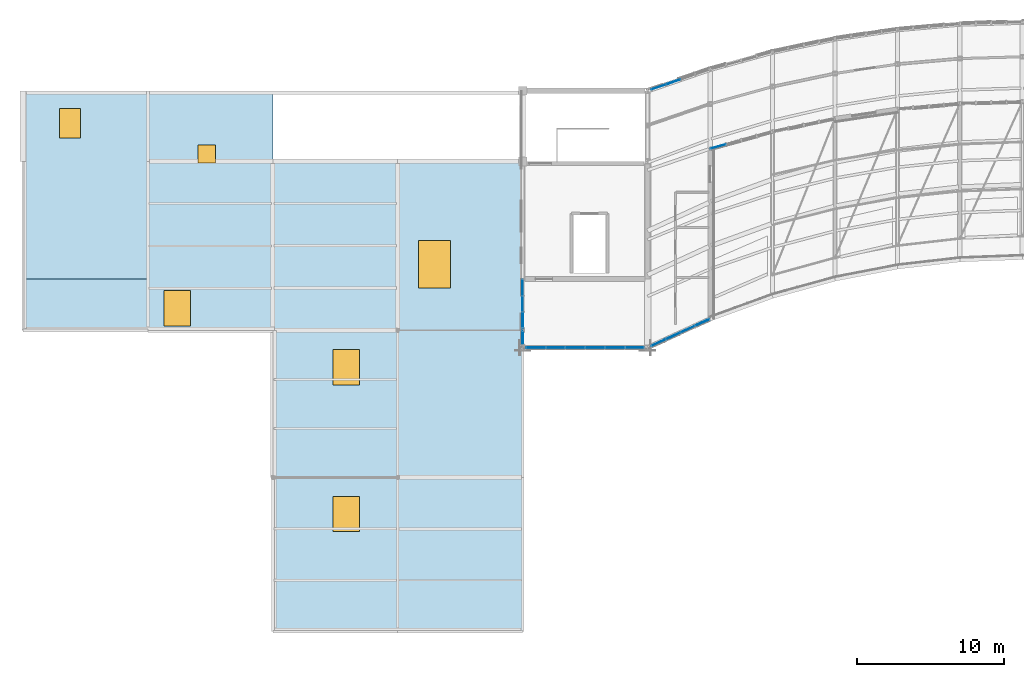
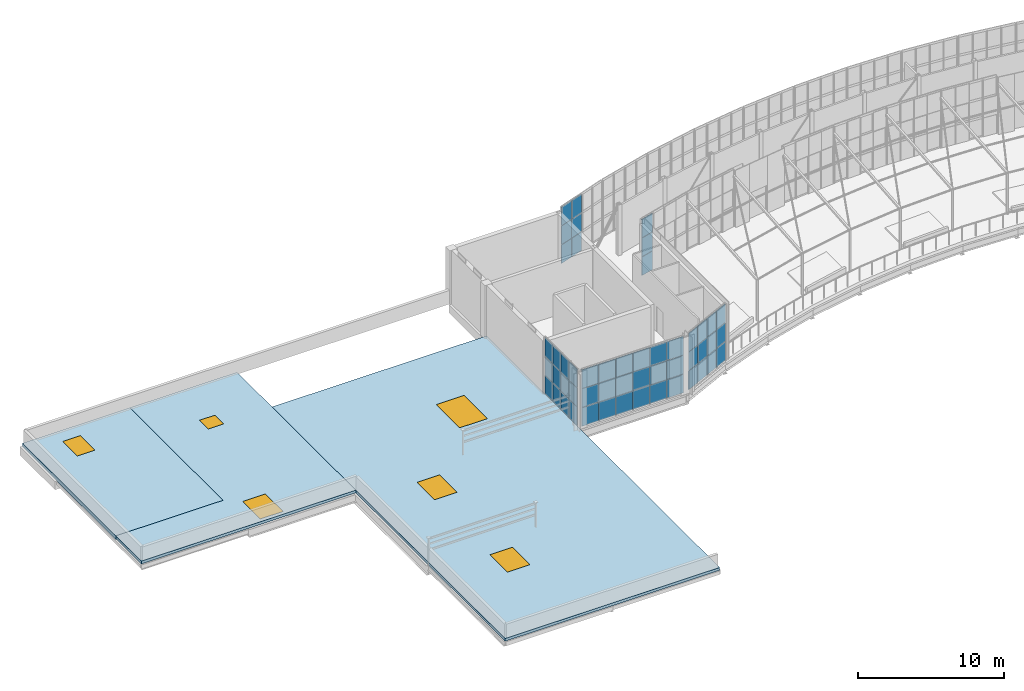
# One storey, part 25 of 35: 51 plates, 6 windows, 3 slabs, 6 openings, 5 elements without a shape of their own.
"""IFC4 building model written with IfcOpenShell, lengths in metres."""

from ifc_helpers import new_model, si_unit, direction, frame, origin, origin_2d, place, context, subcontext, project, spatial, polyline, rectangle, outline, extrude, material, layer, layer_set, type_object, element, fill, aggregate, save


model = new_model("IFC4")

# Units and contexts
model_context = context("Model", 3, precision=1e-05, world=origin(), true_north=direction((0.0, 1.0)))
body_context = subcontext(model_context, "Body", "Model", "MODEL_VIEW")
ifc_project = project(units=[si_unit("LENGTHUNIT", "METRE"), si_unit("AREAUNIT", "SQUARE_METRE"), si_unit("VOLUMEUNIT", "CUBIC_METRE"), si_unit("PLANEANGLEUNIT", "RADIAN"), si_unit("MASSUNIT", "GRAM", prefix="KILO")], contexts=[model_context])

# Site, building, storey
site_placement = place(None, origin())
site = spatial("IfcSite", under=ifc_project, at=site_placement, CompositionType="ELEMENT")
building_placement = place(site_placement, origin())
building = spatial("IfcBuilding", under=site, at=building_placement, Name="Solvikara Media Centre", CompositionType="ELEMENT")
storey_placement = place(building_placement, frame((0.0, 0.0, 29.39990234375)))
storey = spatial("IfcBuildingStorey", under=building, at=storey_placement, Name="L06", CompositionType="ELEMENT", Elevation=29.39990234375)

# Curtain wall, plates
ifc_material_1 = material(Name="Anodised aluminium EN AW-6063", Category="aluminium")
curtain_wall_type = type_object("IfcCurtainWallType", Name="CW-13", PredefinedType="NOTDEFINED", material=ifc_material_1)
curtain_wall_1_placement = place(storey_placement, origin())
curtain_wall_1 = element("IfcCurtainWall", 1, at=curtain_wall_1_placement, inside=storey, type_object=curtain_wall_type, Name="CW-L06-NARC-00", PredefinedType="NOTDEFINED")
ifc_material_2 = material(Name="Laminated solar-control cyan vision glass", Category="glass")
ifc_layer_1 = layer(ifc_material_2, 0.035888671875)
ifc_layer_set_1 = layer_set([ifc_layer_1], Name="Laminated solar-control cyan vision glass")
plate_type_1 = type_object("IfcPlateType", Name="PN-04", PredefinedType="CURTAIN_PANEL", material=ifc_layer_set_1)
plate_1_placement = place(storey_placement, frame((77.243896484375, 37.055908203125, 0.03466796875), z_axis=(0.0, 0.0, 1.0), x_axis=(0.945711605144, 0.32500701515, 0.0)))
plate_1 = element("IfcPlate", 2, at=plate_1_placement, type_object=plate_type_1, Name="CW-L06-NARC-00-P0000", PredefinedType="CURTAIN_PANEL", context=body_context, shape_type="SweptSolid", body=[
    extrude(rectangle(XDim=1.01904296875, YDim=0.035888671875, at=origin_2d()), origin(), (0.0, 0.0, 1.0), 1.556884765625),
])
plate_2_placement = place(storey_placement, frame((77.243896484375, 37.055908203125, 1.62158203125), z_axis=(0.0, 0.0, 1.0), x_axis=(0.945711605144, 0.32500701515, 0.0)))
plate_2 = element("IfcPlate", 3, at=plate_2_placement, type_object=plate_type_1, Name="CW-L06-NARC-00-P0001", PredefinedType="CURTAIN_PANEL", context=body_context, shape_type="SweptSolid", body=[
    extrude(rectangle(XDim=1.01904296875, YDim=0.035888671875, at=origin_2d()), origin(), (0.0, 0.0, 1.0), 1.556884765625),
])
plate_3_placement = place(storey_placement, frame((77.243896484375, 37.055908203125, 3.20849609375), z_axis=(0.0, 0.0, 1.0), x_axis=(0.945711605144, 0.32500701515, 0.0)))
plate_3 = element("IfcPlate", 4, at=plate_3_placement, type_object=plate_type_1, Name="CW-L06-NARC-00-P0002", PredefinedType="CURTAIN_PANEL", context=body_context, shape_type="SweptSolid", body=[
    extrude(rectangle(XDim=1.01904296875, YDim=0.035888671875, at=origin_2d()), origin(), (0.0, 0.0, 1.0), 1.556884765625),
])
plate_4_placement = place(storey_placement, frame((78.237060546875, 37.39697265625, 1.62158203125), z_axis=(0.0, 0.0, 1.0), x_axis=(0.945711605144, 0.32500701515, 0.0)))
plate_4 = element("IfcPlate", 5, at=plate_4_placement, type_object=plate_type_1, Name="CW-L06-NARC-00-P0101", PredefinedType="CURTAIN_PANEL", context=body_context, shape_type="SweptSolid", body=[
    extrude(rectangle(XDim=1.01904296875, YDim=0.035888671875, at=origin_2d()), origin(), (0.0, 0.0, 1.0), 1.556884765625),
])

curtain_wall_2_placement = place(storey_placement, origin())
curtain_wall_2 = element("IfcCurtainWall", 6, at=curtain_wall_2_placement, inside=storey, type_object=curtain_wall_type, Name="CW-L06-GALS-01", PredefinedType="NOTDEFINED")
plate_5_placement = place(storey_placement, frame((81.306884765625, 33.012939453125, 0.03466796875), z_axis=(0.0, 0.0, 1.0), x_axis=(0.964030487854, 0.265791682504, 0.0)))
plate_5 = element("IfcPlate", 7, at=plate_5_placement, type_object=plate_type_1, Name="CW-L06-GALS-01-P0000", PredefinedType="CURTAIN_PANEL", context=body_context, shape_type="SweptSolid", body=[
    extrude(rectangle(XDim=1.054931640625, YDim=0.035888671875, at=origin_2d()), origin(), (0.0, 0.0, 1.0), 1.556884765625),
])
plate_6_placement = place(storey_placement, frame((81.306884765625, 33.012939453125, 1.62158203125), z_axis=(0.0, 0.0, 1.0), x_axis=(0.964030487854, 0.265791682504, 0.0)))
plate_6 = element("IfcPlate", 8, at=plate_6_placement, type_object=plate_type_1, Name="CW-L06-GALS-01-P0001", PredefinedType="CURTAIN_PANEL", context=body_context, shape_type="SweptSolid", body=[
    extrude(rectangle(XDim=1.054931640625, YDim=0.035888671875, at=origin_2d()), origin(), (0.0, 0.0, 1.0), 1.556884765625),
])
plate_7_placement = place(storey_placement, frame((81.306884765625, 33.012939453125, 3.20849609375), z_axis=(0.0, 0.0, 1.0), x_axis=(0.964030487854, 0.265791682504, 0.0)))
plate_7 = element("IfcPlate", 9, at=plate_7_placement, type_object=plate_type_1, Name="CW-L06-GALS-01-P0002", PredefinedType="CURTAIN_PANEL", context=body_context, shape_type="SweptSolid", body=[
    extrude(rectangle(XDim=1.054931640625, YDim=0.035888671875, at=origin_2d()), origin(), (0.0, 0.0, 1.0), 1.556884765625),
])
aggregate(curtain_wall_2, [plate_5, plate_6, plate_7])

curtain_wall_3_placement = place(storey_placement, origin())
curtain_wall_3 = element("IfcCurtainWall", 10, at=curtain_wall_3_placement, inside=storey, type_object=curtain_wall_type, Name="CW-L06-BHWS", PredefinedType="NOTDEFINED")
plate_8_placement = place(storey_placement, frame((68.886962890625, 19.323974609375, 1.62158203125), z_axis=(0.0, 0.0, 1.0), x_axis=(1.0, 0.0, 0.0)))
plate_8 = element("IfcPlate", 11, at=plate_8_placement, type_object=plate_type_1, Name="CW-L06-BHWS-P0001", PredefinedType="CURTAIN_PANEL", context=body_context, shape_type="SweptSolid", body=[
    extrude(rectangle(XDim=1.31494140625, YDim=0.035888671875, at=origin_2d()), origin(), (0.0, 0.0, 1.0), 1.556884765625),
])
plate_9_placement = place(storey_placement, frame((70.23193359375, 19.323974609375, 0.03466796875), z_axis=(0.0, 0.0, 1.0), x_axis=(1.0, 0.0, 0.0)))
plate_9 = element("IfcPlate", 12, at=plate_9_placement, type_object=plate_type_1, Name="CW-L06-BHWS-P0100", PredefinedType="CURTAIN_PANEL", context=body_context, shape_type="SweptSolid", body=[
    extrude(rectangle(XDim=1.31494140625, YDim=0.035888671875, at=origin_2d()), origin(), (0.0, 0.0, 1.0), 1.556884765625),
])
plate_10_placement = place(storey_placement, frame((71.576904296875, 19.323974609375, 3.20849609375), z_axis=(0.0, 0.0, 1.0), x_axis=(1.0, 0.0, 0.0)))
plate_10 = element("IfcPlate", 13, at=plate_10_placement, type_object=plate_type_1, Name="CW-L06-BHWS-P0202", PredefinedType="CURTAIN_PANEL", context=body_context, shape_type="SweptSolid", body=[
    extrude(rectangle(XDim=1.31494140625, YDim=0.035888671875, at=origin_2d()), origin(), (0.0, 0.0, 1.0), 1.556884765625),
])
plate_11_placement = place(storey_placement, frame((72.922119140625, 19.323974609375, 1.62158203125), z_axis=(0.0, 0.0, 1.0), x_axis=(1.0, 0.0, 0.0)))
plate_11 = element("IfcPlate", 14, at=plate_11_placement, type_object=plate_type_1, Name="CW-L06-BHWS-P0301", PredefinedType="CURTAIN_PANEL", context=body_context, shape_type="SweptSolid", body=[
    extrude(rectangle(XDim=1.31494140625, YDim=0.035888671875, at=origin_2d()), origin(), (0.0, 0.0, 1.0), 1.556884765625),
])
plate_12_placement = place(storey_placement, frame((74.26708984375, 19.323974609375, 0.03466796875), z_axis=(0.0, 0.0, 1.0), x_axis=(1.0, 0.0, 0.0)))
plate_12 = element("IfcPlate", 15, at=plate_12_placement, type_object=plate_type_1, Name="CW-L06-BHWS-P0400", PredefinedType="CURTAIN_PANEL", context=body_context, shape_type="SweptSolid", body=[
    extrude(rectangle(XDim=1.31494140625, YDim=0.035888671875, at=origin_2d()), origin(), (0.0, 0.0, 1.0), 1.556884765625),
])
plate_13_placement = place(storey_placement, frame((75.612060546875, 19.323974609375, 1.62158203125), z_axis=(0.0, 0.0, 1.0), x_axis=(1.0, 0.0, 0.0)))
plate_13 = element("IfcPlate", 16, at=plate_13_placement, type_object=plate_type_1, Name="CW-L06-BHWS-P0501", PredefinedType="CURTAIN_PANEL", context=body_context, shape_type="SweptSolid", body=[
    extrude(rectangle(XDim=1.31494140625, YDim=0.035888671875, at=origin_2d()), origin(), (0.0, 0.0, 1.0), 1.556884765625),
])
plate_14_placement = place(storey_placement, frame((75.612060546875, 19.323974609375, 3.20849609375), z_axis=(0.0, 0.0, 1.0), x_axis=(1.0, 0.0, 0.0)))
plate_14 = element("IfcPlate", 17, at=plate_14_placement, type_object=plate_type_1, Name="CW-L06-BHWS-P0502", PredefinedType="CURTAIN_PANEL", context=body_context, shape_type="SweptSolid", body=[
    extrude(rectangle(XDim=1.31494140625, YDim=0.035888671875, at=origin_2d()), origin(), (0.0, 0.0, 1.0), 1.556884765625),
])

curtain_wall_4_placement = place(storey_placement, origin())
curtain_wall_4 = element("IfcCurtainWall", 18, at=curtain_wall_4_placement, inside=storey, type_object=curtain_wall_type, Name="CW-L06-SARC-00", PredefinedType="NOTDEFINED")
plate_15_placement = place(storey_placement, frame((77.242919921875, 19.666015625, 1.62158203125), z_axis=(0.0, 0.0, 1.0), x_axis=(0.908544639849, 0.417787789915, 0.0)))
plate_15 = element("IfcPlate", 19, at=plate_15_placement, type_object=plate_type_1, Name="CW-L06-SARC-00-P0001", PredefinedType="CURTAIN_PANEL", context=body_context, shape_type="SweptSolid", body=[
    extrude(rectangle(XDim=1.06298828125, YDim=0.035888671875, at=origin_2d()), origin(), (0.0, 0.0, 1.0), 1.556884765625),
])
plate_16_placement = place(storey_placement, frame((77.242919921875, 19.666015625, 3.20849609375), z_axis=(0.0, 0.0, 1.0), x_axis=(0.908544639849, 0.417787789915, 0.0)))
plate_16 = element("IfcPlate", 20, at=plate_16_placement, type_object=plate_type_1, Name="CW-L06-SARC-00-P0002", PredefinedType="CURTAIN_PANEL", context=body_context, shape_type="SweptSolid", body=[
    extrude(rectangle(XDim=1.06298828125, YDim=0.035888671875, at=origin_2d()), origin(), (0.0, 0.0, 1.0), 1.556884765625),
])
plate_17_placement = place(storey_placement, frame((78.236083984375, 20.123046875, 0.03466796875), z_axis=(0.0, 0.0, 1.0), x_axis=(0.908544639849, 0.417787789915, 0.0)))
plate_17 = element("IfcPlate", 21, at=plate_17_placement, type_object=plate_type_1, Name="CW-L06-SARC-00-P0100", PredefinedType="CURTAIN_PANEL", context=body_context, shape_type="SweptSolid", body=[
    extrude(rectangle(XDim=1.06298828125, YDim=0.035888671875, at=origin_2d()), origin(), (0.0, 0.0, 1.0), 1.556884765625),
])
plate_18_placement = place(storey_placement, frame((79.22900390625, 20.5791015625, 0.03466796875), z_axis=(0.0, 0.0, 1.0), x_axis=(0.908544639849, 0.417787789915, 0.0)))
plate_18 = element("IfcPlate", 22, at=plate_18_placement, type_object=plate_type_1, Name="CW-L06-SARC-00-P0200", PredefinedType="CURTAIN_PANEL", context=body_context, shape_type="SweptSolid", body=[
    extrude(rectangle(XDim=1.06298828125, YDim=0.035888671875, at=origin_2d()), origin(), (0.0, 0.0, 1.0), 1.556884765625),
])
plate_19_placement = place(storey_placement, frame((79.22900390625, 20.5791015625, 1.62158203125), z_axis=(0.0, 0.0, 1.0), x_axis=(0.908544639849, 0.417787789915, 0.0)))
plate_19 = element("IfcPlate", 23, at=plate_19_placement, type_object=plate_type_1, Name="CW-L06-SARC-00-P0201", PredefinedType="CURTAIN_PANEL", context=body_context, shape_type="SweptSolid", body=[
    extrude(rectangle(XDim=1.06298828125, YDim=0.035888671875, at=origin_2d()), origin(), (0.0, 0.0, 1.0), 1.556884765625),
])
plate_20_placement = place(storey_placement, frame((79.22900390625, 20.5791015625, 3.20849609375), z_axis=(0.0, 0.0, 1.0), x_axis=(0.908544639849, 0.417787789915, 0.0)))
plate_20 = element("IfcPlate", 24, at=plate_20_placement, type_object=plate_type_1, Name="CW-L06-SARC-00-P0202", PredefinedType="CURTAIN_PANEL", context=body_context, shape_type="SweptSolid", body=[
    extrude(rectangle(XDim=1.06298828125, YDim=0.035888671875, at=origin_2d()), origin(), (0.0, 0.0, 1.0), 1.556884765625),
])
plate_21_placement = place(storey_placement, frame((80.220947265625, 21.035888671875, 1.62158203125), z_axis=(0.0, 0.0, 1.0), x_axis=(0.908544639849, 0.417787789915, 0.0)))
plate_21 = element("IfcPlate", 25, at=plate_21_placement, type_object=plate_type_1, Name="CW-L06-SARC-00-P0301", PredefinedType="CURTAIN_PANEL", context=body_context, shape_type="SweptSolid", body=[
    extrude(rectangle(XDim=1.06298828125, YDim=0.035888671875, at=origin_2d()), origin(), (0.0, 0.0, 1.0), 1.556884765625),
])
plate_22_placement = place(storey_placement, frame((80.220947265625, 21.035888671875, 3.20849609375), z_axis=(0.0, 0.0, 1.0), x_axis=(0.908544639849, 0.417787789915, 0.0)))
plate_22 = element("IfcPlate", 26, at=plate_22_placement, type_object=plate_type_1, Name="CW-L06-SARC-00-P0302", PredefinedType="CURTAIN_PANEL", context=body_context, shape_type="SweptSolid", body=[
    extrude(rectangle(XDim=1.06298828125, YDim=0.035888671875, at=origin_2d()), origin(), (0.0, 0.0, 1.0), 1.556884765625),
])

curtain_wall_5_placement = place(storey_placement, origin())
curtain_wall_5 = element("IfcCurtainWall", 27, at=curtain_wall_5_placement, inside=storey, type_object=curtain_wall_type, Name="CW-L06-BHWW", PredefinedType="NOTDEFINED")
plate_23_placement = place(storey_placement, frame((68.0, 20.092041015625, 0.03466796875), z_axis=(0.0, 0.0, 1.0), x_axis=(0.0, 1.0, 0.0)))
plate_23 = element("IfcPlate", 28, at=plate_23_placement, type_object=plate_type_1, Name="CW-L06-BHWW-P0000", PredefinedType="CURTAIN_PANEL", context=body_context, shape_type="SweptSolid", body=[
    extrude(rectangle(XDim=1.075927734375, YDim=0.035888671875, at=origin_2d()), origin(), (0.0, 0.0, 1.0), 1.556884765625),
])
plate_24_placement = place(storey_placement, frame((68.0, 20.092041015625, 1.62158203125), z_axis=(0.0, 0.0, 1.0), x_axis=(0.0, 1.0, 0.0)))
plate_24 = element("IfcPlate", 29, at=plate_24_placement, type_object=plate_type_1, Name="CW-L06-BHWW-P0001", PredefinedType="CURTAIN_PANEL", context=body_context, shape_type="SweptSolid", body=[
    extrude(rectangle(XDim=1.075927734375, YDim=0.035888671875, at=origin_2d()), origin(), (0.0, 0.0, 1.0), 1.556884765625),
])
plate_25_placement = place(storey_placement, frame((68.0, 21.198974609375, 0.03466796875), z_axis=(0.0, 0.0, 1.0), x_axis=(0.0, 1.0, 0.0)))
plate_25 = element("IfcPlate", 30, at=plate_25_placement, type_object=plate_type_1, Name="CW-L06-BHWW-P0100", PredefinedType="CURTAIN_PANEL", context=body_context, shape_type="SweptSolid", body=[
    extrude(rectangle(XDim=1.075927734375, YDim=0.035888671875, at=origin_2d()), origin(), (0.0, 0.0, 1.0), 1.556884765625),
])
plate_26_placement = place(storey_placement, frame((68.0, 22.304931640625, 0.03466796875), z_axis=(0.0, 0.0, 1.0), x_axis=(0.0, 1.0, 0.0)))
plate_26 = element("IfcPlate", 31, at=plate_26_placement, type_object=plate_type_1, Name="CW-L06-BHWW-P0200", PredefinedType="CURTAIN_PANEL", context=body_context, shape_type="SweptSolid", body=[
    extrude(rectangle(XDim=1.075927734375, YDim=0.035888671875, at=origin_2d()), origin(), (0.0, 0.0, 1.0), 1.556884765625),
])
plate_27_placement = place(storey_placement, frame((68.0, 22.304931640625, 1.62158203125), z_axis=(0.0, 0.0, 1.0), x_axis=(0.0, 1.0, 0.0)))
plate_27 = element("IfcPlate", 32, at=plate_27_placement, type_object=plate_type_1, Name="CW-L06-BHWW-P0201", PredefinedType="CURTAIN_PANEL", context=body_context, shape_type="SweptSolid", body=[
    extrude(rectangle(XDim=1.075927734375, YDim=0.035888671875, at=origin_2d()), origin(), (0.0, 0.0, 1.0), 1.556884765625),
])
plate_28_placement = place(storey_placement, frame((68.0, 22.304931640625, 3.20849609375), z_axis=(0.0, 0.0, 1.0), x_axis=(0.0, 1.0, 0.0)))
plate_28 = element("IfcPlate", 33, at=plate_28_placement, type_object=plate_type_1, Name="CW-L06-BHWW-P0202", PredefinedType="CURTAIN_PANEL", context=body_context, shape_type="SweptSolid", body=[
    extrude(rectangle(XDim=1.075927734375, YDim=0.035888671875, at=origin_2d()), origin(), (0.0, 0.0, 1.0), 1.556884765625),
])
plate_29_placement = place(storey_placement, frame((68.0, 23.412109375, 0.03466796875), z_axis=(0.0, 0.0, 1.0), x_axis=(0.0, 1.0, 0.0)))
plate_29 = element("IfcPlate", 34, at=plate_29_placement, type_object=plate_type_1, Name="CW-L06-BHWW-P0300", PredefinedType="CURTAIN_PANEL", context=body_context, shape_type="SweptSolid", body=[
    extrude(rectangle(XDim=1.075927734375, YDim=0.035888671875, at=origin_2d()), origin(), (0.0, 0.0, 1.0), 1.556884765625),
])
plate_30_placement = place(storey_placement, frame((68.0, 23.412109375, 1.62158203125), z_axis=(0.0, 0.0, 1.0), x_axis=(0.0, 1.0, 0.0)))
plate_30 = element("IfcPlate", 35, at=plate_30_placement, type_object=plate_type_1, Name="CW-L06-BHWW-P0301", PredefinedType="CURTAIN_PANEL", context=body_context, shape_type="SweptSolid", body=[
    extrude(rectangle(XDim=1.075927734375, YDim=0.035888671875, at=origin_2d()), origin(), (0.0, 0.0, 1.0), 1.556884765625),
])
plate_31_placement = place(storey_placement, frame((68.0, 23.412109375, 3.20849609375), z_axis=(0.0, 0.0, 1.0), x_axis=(0.0, 1.0, 0.0)))
plate_31 = element("IfcPlate", 36, at=plate_31_placement, type_object=plate_type_1, Name="CW-L06-BHWW-P0302", PredefinedType="CURTAIN_PANEL", context=body_context, shape_type="SweptSolid", body=[
    extrude(rectangle(XDim=1.075927734375, YDim=0.035888671875, at=origin_2d()), origin(), (0.0, 0.0, 1.0), 1.556884765625),
])

# Plate
ifc_material_3 = material(Name="Insulated silver-pearl glass spandrel panel", Category="glass")
ifc_layer_2 = layer(ifc_material_3, 0.054931640625)
ifc_layer_set_2 = layer_set([ifc_layer_2], Name="Insulated silver-pearl glass spandrel panel")
plate_type_2 = type_object("IfcPlateType", Name="PN-05", PredefinedType="CURTAIN_PANEL", material=ifc_layer_set_2)
plate_32_placement = place(storey_placement, frame((78.237060546875, 37.39697265625, 0.03466796875), z_axis=(0.0, 0.0, 1.0), x_axis=(0.945711605144, 0.32500701515, 0.0)))
plate_32 = element("IfcPlate", 37, at=plate_32_placement, type_object=plate_type_2, Name="CW-L06-NARC-00-P0100", PredefinedType="CURTAIN_PANEL", context=body_context, shape_type="SweptSolid", body=[
    extrude(rectangle(XDim=1.01904296875, YDim=0.054931640625, at=origin_2d()), origin(), (0.0, 0.0, 1.0), 1.556884765625),
])

plate_33_placement = place(storey_placement, frame((78.237060546875, 37.39697265625, 3.20849609375), z_axis=(0.0, 0.0, 1.0), x_axis=(0.945711605144, 0.32500701515, 0.0)))
plate_33 = element("IfcPlate", 38, at=plate_33_placement, type_object=plate_type_2, Name="CW-L06-NARC-00-P0102", PredefinedType="CURTAIN_PANEL", context=body_context, shape_type="SweptSolid", body=[
    extrude(rectangle(XDim=1.01904296875, YDim=0.054931640625, at=origin_2d()), origin(), (0.0, 0.0, 1.0), 1.556884765625),
])

aggregate(curtain_wall_1, [plate_1, plate_2, plate_3, plate_32, plate_4, plate_33])

plate_34_placement = place(storey_placement, frame((68.886962890625, 19.323974609375, 0.03466796875), z_axis=(0.0, 0.0, 1.0), x_axis=(1.0, 0.0, 0.0)))
plate_34 = element("IfcPlate", 39, at=plate_34_placement, type_object=plate_type_2, Name="CW-L06-BHWS-P0000", PredefinedType="CURTAIN_PANEL", context=body_context, shape_type="SweptSolid", body=[
    extrude(rectangle(XDim=1.31494140625, YDim=0.054931640625, at=origin_2d()), origin(), (0.0, 0.0, 1.0), 1.556884765625),
])

plate_35_placement = place(storey_placement, frame((68.886962890625, 19.323974609375, 3.20849609375), z_axis=(0.0, 0.0, 1.0), x_axis=(1.0, 0.0, 0.0)))
plate_35 = element("IfcPlate", 40, at=plate_35_placement, type_object=plate_type_2, Name="CW-L06-BHWS-P0002", PredefinedType="CURTAIN_PANEL", context=body_context, shape_type="SweptSolid", body=[
    extrude(rectangle(XDim=1.31494140625, YDim=0.054931640625, at=origin_2d()), origin(), (0.0, 0.0, 1.0), 1.556884765625),
])

plate_36_placement = place(storey_placement, frame((70.23193359375, 19.323974609375, 1.62158203125), z_axis=(0.0, 0.0, 1.0), x_axis=(1.0, 0.0, 0.0)))
plate_36 = element("IfcPlate", 41, at=plate_36_placement, type_object=plate_type_2, Name="CW-L06-BHWS-P0101", PredefinedType="CURTAIN_PANEL", context=body_context, shape_type="SweptSolid", body=[
    extrude(rectangle(XDim=1.31494140625, YDim=0.054931640625, at=origin_2d()), origin(), (0.0, 0.0, 1.0), 1.556884765625),
])

plate_37_placement = place(storey_placement, frame((70.23193359375, 19.323974609375, 3.20849609375), z_axis=(0.0, 0.0, 1.0), x_axis=(1.0, 0.0, 0.0)))
plate_37 = element("IfcPlate", 42, at=plate_37_placement, type_object=plate_type_2, Name="CW-L06-BHWS-P0102", PredefinedType="CURTAIN_PANEL", context=body_context, shape_type="SweptSolid", body=[
    extrude(rectangle(XDim=1.31494140625, YDim=0.054931640625, at=origin_2d()), origin(), (0.0, 0.0, 1.0), 1.556884765625),
])

plate_38_placement = place(storey_placement, frame((71.576904296875, 19.323974609375, 0.03466796875), z_axis=(0.0, 0.0, 1.0), x_axis=(1.0, 0.0, 0.0)))
plate_38 = element("IfcPlate", 43, at=plate_38_placement, type_object=plate_type_2, Name="CW-L06-BHWS-P0200", PredefinedType="CURTAIN_PANEL", context=body_context, shape_type="SweptSolid", body=[
    extrude(rectangle(XDim=1.31494140625, YDim=0.054931640625, at=origin_2d()), origin(), (0.0, 0.0, 1.0), 1.556884765625),
])

plate_39_placement = place(storey_placement, frame((71.576904296875, 19.323974609375, 1.62158203125), z_axis=(0.0, 0.0, 1.0), x_axis=(1.0, 0.0, 0.0)))
plate_39 = element("IfcPlate", 44, at=plate_39_placement, type_object=plate_type_2, Name="CW-L06-BHWS-P0201", PredefinedType="CURTAIN_PANEL", context=body_context, shape_type="SweptSolid", body=[
    extrude(rectangle(XDim=1.31494140625, YDim=0.054931640625, at=origin_2d()), origin(), (0.0, 0.0, 1.0), 1.556884765625),
])

plate_40_placement = place(storey_placement, frame((72.922119140625, 19.323974609375, 0.03466796875), z_axis=(0.0, 0.0, 1.0), x_axis=(1.0, 0.0, 0.0)))
plate_40 = element("IfcPlate", 45, at=plate_40_placement, type_object=plate_type_2, Name="CW-L06-BHWS-P0300", PredefinedType="CURTAIN_PANEL", context=body_context, shape_type="SweptSolid", body=[
    extrude(rectangle(XDim=1.31494140625, YDim=0.054931640625, at=origin_2d()), origin(), (0.0, 0.0, 1.0), 1.556884765625),
])

plate_41_placement = place(storey_placement, frame((72.922119140625, 19.323974609375, 3.20849609375), z_axis=(0.0, 0.0, 1.0), x_axis=(1.0, 0.0, 0.0)))
plate_41 = element("IfcPlate", 46, at=plate_41_placement, type_object=plate_type_2, Name="CW-L06-BHWS-P0302", PredefinedType="CURTAIN_PANEL", context=body_context, shape_type="SweptSolid", body=[
    extrude(rectangle(XDim=1.31494140625, YDim=0.054931640625, at=origin_2d()), origin(), (0.0, 0.0, 1.0), 1.556884765625),
])

plate_42_placement = place(storey_placement, frame((74.26708984375, 19.323974609375, 1.62158203125), z_axis=(0.0, 0.0, 1.0), x_axis=(1.0, 0.0, 0.0)))
plate_42 = element("IfcPlate", 47, at=plate_42_placement, type_object=plate_type_2, Name="CW-L06-BHWS-P0401", PredefinedType="CURTAIN_PANEL", context=body_context, shape_type="SweptSolid", body=[
    extrude(rectangle(XDim=1.31494140625, YDim=0.054931640625, at=origin_2d()), origin(), (0.0, 0.0, 1.0), 1.556884765625),
])

plate_43_placement = place(storey_placement, frame((74.26708984375, 19.323974609375, 3.20849609375), z_axis=(0.0, 0.0, 1.0), x_axis=(1.0, 0.0, 0.0)))
plate_43 = element("IfcPlate", 48, at=plate_43_placement, type_object=plate_type_2, Name="CW-L06-BHWS-P0402", PredefinedType="CURTAIN_PANEL", context=body_context, shape_type="SweptSolid", body=[
    extrude(rectangle(XDim=1.31494140625, YDim=0.054931640625, at=origin_2d()), origin(), (0.0, 0.0, 1.0), 1.556884765625),
])

plate_44_placement = place(storey_placement, frame((75.612060546875, 19.323974609375, 0.03466796875), z_axis=(0.0, 0.0, 1.0), x_axis=(1.0, 0.0, 0.0)))
plate_44 = element("IfcPlate", 49, at=plate_44_placement, type_object=plate_type_2, Name="CW-L06-BHWS-P0500", PredefinedType="CURTAIN_PANEL", context=body_context, shape_type="SweptSolid", body=[
    extrude(rectangle(XDim=1.31494140625, YDim=0.054931640625, at=origin_2d()), origin(), (0.0, 0.0, 1.0), 1.556884765625),
])

aggregate(curtain_wall_3, [plate_34, plate_8, plate_35, plate_9, plate_36, plate_37, plate_38, plate_39, plate_10, plate_40, plate_11, plate_41, plate_12, plate_42, plate_43, plate_44, plate_13, plate_14])

plate_45_placement = place(storey_placement, frame((77.242919921875, 19.666015625, 0.03466796875), z_axis=(0.0, 0.0, 1.0), x_axis=(0.908544639849, 0.417787789915, 0.0)))
plate_45 = element("IfcPlate", 50, at=plate_45_placement, type_object=plate_type_2, Name="CW-L06-SARC-00-P0000", PredefinedType="CURTAIN_PANEL", context=body_context, shape_type="SweptSolid", body=[
    extrude(rectangle(XDim=1.06298828125, YDim=0.054931640625, at=origin_2d()), origin(), (0.0, 0.0, 1.0), 1.556884765625),
])

plate_46_placement = place(storey_placement, frame((78.236083984375, 20.123046875, 1.62158203125), z_axis=(0.0, 0.0, 1.0), x_axis=(0.908544639849, 0.417787789915, 0.0)))
plate_46 = element("IfcPlate", 51, at=plate_46_placement, type_object=plate_type_2, Name="CW-L06-SARC-00-P0101", PredefinedType="CURTAIN_PANEL", context=body_context, shape_type="SweptSolid", body=[
    extrude(rectangle(XDim=1.06298828125, YDim=0.054931640625, at=origin_2d()), origin(), (0.0, 0.0, 1.0), 1.556884765625),
])

plate_47_placement = place(storey_placement, frame((78.236083984375, 20.123046875, 3.20849609375), z_axis=(0.0, 0.0, 1.0), x_axis=(0.908544639849, 0.417787789915, 0.0)))
plate_47 = element("IfcPlate", 52, at=plate_47_placement, type_object=plate_type_2, Name="CW-L06-SARC-00-P0102", PredefinedType="CURTAIN_PANEL", context=body_context, shape_type="SweptSolid", body=[
    extrude(rectangle(XDim=1.06298828125, YDim=0.054931640625, at=origin_2d()), origin(), (0.0, 0.0, 1.0), 1.556884765625),
])

plate_48_placement = place(storey_placement, frame((80.220947265625, 21.035888671875, 0.03466796875), z_axis=(0.0, 0.0, 1.0), x_axis=(0.908544639849, 0.417787789915, 0.0)))
plate_48 = element("IfcPlate", 53, at=plate_48_placement, type_object=plate_type_2, Name="CW-L06-SARC-00-P0300", PredefinedType="CURTAIN_PANEL", context=body_context, shape_type="SweptSolid", body=[
    extrude(rectangle(XDim=1.06298828125, YDim=0.054931640625, at=origin_2d()), origin(), (0.0, 0.0, 1.0), 1.556884765625),
])

aggregate(curtain_wall_4, [plate_45, plate_15, plate_16, plate_17, plate_46, plate_47, plate_18, plate_19, plate_20, plate_48, plate_21, plate_22])

plate_49_placement = place(storey_placement, frame((68.0, 20.092041015625, 3.20849609375), z_axis=(0.0, 0.0, 1.0), x_axis=(0.0, 1.0, 0.0)))
plate_49 = element("IfcPlate", 54, at=plate_49_placement, type_object=plate_type_2, Name="CW-L06-BHWW-P0002", PredefinedType="CURTAIN_PANEL", context=body_context, shape_type="SweptSolid", body=[
    extrude(rectangle(XDim=1.075927734375, YDim=0.054931640625, at=origin_2d()), origin(), (0.0, 0.0, 1.0), 1.556884765625),
])

plate_50_placement = place(storey_placement, frame((68.0, 21.198974609375, 1.62158203125), z_axis=(0.0, 0.0, 1.0), x_axis=(0.0, 1.0, 0.0)))
plate_50 = element("IfcPlate", 55, at=plate_50_placement, type_object=plate_type_2, Name="CW-L06-BHWW-P0101", PredefinedType="CURTAIN_PANEL", context=body_context, shape_type="SweptSolid", body=[
    extrude(rectangle(XDim=1.075927734375, YDim=0.054931640625, at=origin_2d()), origin(), (0.0, 0.0, 1.0), 1.556884765625),
])

plate_51_placement = place(storey_placement, frame((68.0, 21.198974609375, 3.20849609375), z_axis=(0.0, 0.0, 1.0), x_axis=(0.0, 1.0, 0.0)))
plate_51 = element("IfcPlate", 56, at=plate_51_placement, type_object=plate_type_2, Name="CW-L06-BHWW-P0102", PredefinedType="CURTAIN_PANEL", context=body_context, shape_type="SweptSolid", body=[
    extrude(rectangle(XDim=1.075927734375, YDim=0.054931640625, at=origin_2d()), origin(), (0.0, 0.0, 1.0), 1.556884765625),
])

aggregate(curtain_wall_5, [plate_23, plate_24, plate_49, plate_25, plate_50, plate_51, plate_26, plate_27, plate_28, plate_29, plate_30, plate_31])

# Slab, openings, windows
ifc_material_4 = material(Name="Concrete fc' 35 MPa (C35/45)", Category="concrete")
ifc_layer_3 = layer(ifc_material_4, 0.22998046875)
ifc_layer_set_3 = layer_set([ifc_layer_3], Name="Concrete fc' 35 MPa (C35/45)")
slab_type_1 = type_object("IfcSlabType", Name="ST-13", PredefinedType="ROOF", material=ifc_layer_set_3)
slab_1_placement = place(storey_placement, frame((0.0, 0.0, -0.22998046875)))
slab_1 = element("IfcSlab", 57, at=slab_1_placement, inside=storey, type_object=slab_type_1, Name="SL-L06-V6RFS", PredefinedType="ROOF", context=body_context, shape_type="SweptSolid", body=[
    extrude(outline(polyline([(51.0, 0.0), (68.0, 0.0), (68.0, 32.0), (51.0, 32.0), (51.0, 0.0)])), origin(), (0.0, 0.0, 1.0), 0.22998046875),
])
opening_1_placement = place(slab_1_placement, frame((56.0, 8.0, -0.011962890625)))
opening_1 = element("IfcOpeningElement", 58, at=opening_1_placement, cuts=slab_1, Name="Opening SK-V6RFS-01", PredefinedType="OPENING", context=body_context, shape_type="SweptSolid", body=[
    extrude(rectangle(XDim=1.800048828125, YDim=2.39990234375, at=origin_2d()), origin(), (0.0, 0.0, 1.0), 0.25390625),
])
opening_2_placement = place(slab_1_placement, frame((56.0, 18.0, -0.011962890625)))
opening_2 = element("IfcOpeningElement", 59, at=opening_2_placement, cuts=slab_1, Name="Opening SK-V6RFS-02", PredefinedType="OPENING", context=body_context, shape_type="SweptSolid", body=[
    extrude(rectangle(XDim=1.800048828125, YDim=2.39990234375, at=origin_2d()), origin(), (0.0, 0.0, 1.0), 0.25390625),
])
opening_3_placement = place(slab_1_placement, frame((62.0, 25.0, -0.011962890625)))
opening_3 = element("IfcOpeningElement", 60, at=opening_3_placement, cuts=slab_1, Name="Opening SK-V6RFS-03", PredefinedType="OPENING", context=body_context, shape_type="SweptSolid", body=[
    extrude(rectangle(XDim=2.199951171875, YDim=3.199951171875, at=origin_2d()), origin(), (0.0, 0.0, 1.0), 0.25390625),
])
ifc_material_5 = material(Name="Double-glazed low-E architectural glass", Category="glass")
window_type_1 = type_object("IfcWindowType", Name="SK-03", PartitioningType="SINGLE_PANEL", PredefinedType="SKYLIGHT", material=ifc_material_5)
window_1_placement = place(opening_1_placement, frame((0.0, 0.0, 0.19189453125)))
window_1 = element("IfcWindow", 61, at=window_1_placement, inside=storey, type_object=window_type_1, Name="SK-V6RFS-01", OverallHeight=2.39990234375, OverallWidth=1.800048828125, PartitioningType="SINGLE_PANEL", PredefinedType="SKYLIGHT", context=body_context, shape_type="SweptSolid", body=[
    extrude(rectangle(XDim=1.800048828125, YDim=2.39990234375, at=origin_2d()), origin(), (0.0, 0.0, 1.0), 0.050048828125),
])
fill(opening_1, window_1)
window_2_placement = place(opening_2_placement, frame((0.0, 0.0, 0.19189453125)))
window_2 = element("IfcWindow", 62, at=window_2_placement, inside=storey, type_object=window_type_1, Name="SK-V6RFS-02", OverallHeight=2.39990234375, OverallWidth=1.800048828125, PartitioningType="SINGLE_PANEL", PredefinedType="SKYLIGHT", context=body_context, shape_type="SweptSolid", body=[
    extrude(rectangle(XDim=1.800048828125, YDim=2.39990234375, at=origin_2d()), origin(), (0.0, 0.0, 1.0), 0.050048828125),
])
fill(opening_2, window_2)
window_type_2 = type_object("IfcWindowType", Name="SK-06", PartitioningType="SINGLE_PANEL", PredefinedType="SKYLIGHT", material=ifc_material_5)
window_3_placement = place(opening_3_placement, frame((0.0, 0.0, 0.19189453125)))
window_3 = element("IfcWindow", 63, at=window_3_placement, inside=storey, type_object=window_type_2, Name="SK-V6RFS-03", OverallHeight=3.199951171875, OverallWidth=2.199951171875, PartitioningType="SINGLE_PANEL", PredefinedType="SKYLIGHT", context=body_context, shape_type="SweptSolid", body=[
    extrude(rectangle(XDim=2.199951171875, YDim=3.199951171875, at=origin_2d()), origin(), (0.0, 0.0, 1.0), 0.050048828125),
])
fill(opening_3, window_3)

slab_2_placement = place(storey_placement, frame((0.0, 0.0, -0.22998046875)))
slab_2 = element("IfcSlab", 64, at=slab_2_placement, inside=storey, type_object=slab_type_1, Name="SL-L06-V6RFN", PredefinedType="ROOF", context=body_context, shape_type="SweptSolid", body=[
    extrude(outline(polyline([(34.0, 20.5), (51.0, 20.5), (51.0, 36.800048828125), (42.5, 36.800048828125), (42.5, 24.0), (34.0, 24.0), (34.0, 20.5)])), origin(), (0.0, 0.0, 1.0), 0.22998046875),
])
opening_4_placement = place(slab_2_placement, frame((44.5, 22.0, -0.011962890625)))
opening_4 = element("IfcOpeningElement", 65, at=opening_4_placement, cuts=slab_2, Name="Opening SK-V6RFN-01", PredefinedType="OPENING", context=body_context, shape_type="SweptSolid", body=[
    extrude(rectangle(XDim=1.800048828125, YDim=2.39990234375, at=origin_2d()), origin(), (0.0, 0.0, 1.0), 0.25390625),
])
opening_5_placement = place(slab_2_placement, frame((46.5, 32.5, -0.011962890625)))
opening_5 = element("IfcOpeningElement", 66, at=opening_5_placement, cuts=slab_2, Name="Opening SK-V6RFN-02", PredefinedType="OPENING", context=body_context, shape_type="SweptSolid", body=[
    extrude(rectangle(XDim=1.199951171875, YDim=1.199951171875, at=origin_2d()), origin(), (0.0, 0.0, 1.0), 0.25390625),
])
window_type_3 = type_object("IfcWindowType", Name="SK-01", PartitioningType="SINGLE_PANEL", PredefinedType="SKYLIGHT", material=ifc_material_5)
window_4_placement = place(opening_5_placement, frame((0.0, 0.0, 0.19189453125)))
window_4 = element("IfcWindow", 67, at=window_4_placement, inside=storey, type_object=window_type_3, Name="SK-V6RFN-02", OverallHeight=1.199951171875, OverallWidth=1.199951171875, PartitioningType="SINGLE_PANEL", PredefinedType="SKYLIGHT", context=body_context, shape_type="SweptSolid", body=[
    extrude(rectangle(XDim=1.199951171875, YDim=1.199951171875, at=origin_2d()), origin(), (0.0, 0.0, 1.0), 0.050048828125),
])
fill(opening_5, window_4)
window_5_placement = place(opening_4_placement, frame((0.0, 0.0, 0.19189453125)))
window_5 = element("IfcWindow", 68, at=window_5_placement, inside=storey, type_object=window_type_1, Name="SK-V6RFN-01", OverallHeight=2.39990234375, OverallWidth=1.800048828125, PartitioningType="SINGLE_PANEL", PredefinedType="SKYLIGHT", context=body_context, shape_type="SweptSolid", body=[
    extrude(rectangle(XDim=1.800048828125, YDim=2.39990234375, at=origin_2d()), origin(), (0.0, 0.0, 1.0), 0.050048828125),
])
fill(opening_4, window_5)

# Slab, opening, window
ifc_layer_4 = layer(ifc_material_4, 0.31005859375)
ifc_layer_set_4 = layer_set([ifc_layer_4], Name="Concrete fc' 35 MPa (C35/45)")
slab_type_2 = type_object("IfcSlabType", Name="ST-14", PredefinedType="ROOF", material=ifc_layer_set_4)
slab_3_placement = place(storey_placement, frame((0.0, 0.0, -0.309814453125)))
slab_3 = element("IfcSlab", 69, at=slab_3_placement, inside=storey, type_object=slab_type_2, Name="SL-ROOF-C2", PredefinedType="ROOF", context=body_context, shape_type="SweptSolid", body=[
    extrude(outline(polyline([(34.0, 24.0), (42.5, 24.0), (42.5, 36.800048828125), (34.0, 36.800048828125), (34.0, 24.0)])), origin(), (0.0, 0.0, 1.0), 0.309814453125),
])
opening_6_placement = place(slab_3_placement, frame((37.199951171875, 34.60009765625, -0.011962890625)))
opening_6 = element("IfcOpeningElement", 70, at=opening_6_placement, cuts=slab_3, Name="Opening SK-C2-TOP", PredefinedType="OPENING", context=body_context, shape_type="SweptSolid", body=[
    extrude(rectangle(XDim=1.39990234375, YDim=2.0, at=origin_2d()), origin(), (0.0, 0.0, 1.0), 0.333740234375),
])
window_type_4 = type_object("IfcWindowType", Name="SK-05", PartitioningType="SINGLE_PANEL", PredefinedType="SKYLIGHT", material=ifc_material_5)
window_6_placement = place(opening_6_placement, frame((0.0, 0.0, 0.271728515625)))
window_6 = element("IfcWindow", 71, at=window_6_placement, inside=storey, type_object=window_type_4, Name="SK-C2-TOP", OverallHeight=2.0, OverallWidth=1.39990234375, PartitioningType="SINGLE_PANEL", PredefinedType="SKYLIGHT", context=body_context, shape_type="SweptSolid", body=[
    extrude(rectangle(XDim=1.39990234375, YDim=2.0, at=origin_2d()), origin(), (0.0, 0.0, 1.0), 0.050048828125),
])
fill(opening_6, window_6)

save(model, "model.ifc")
